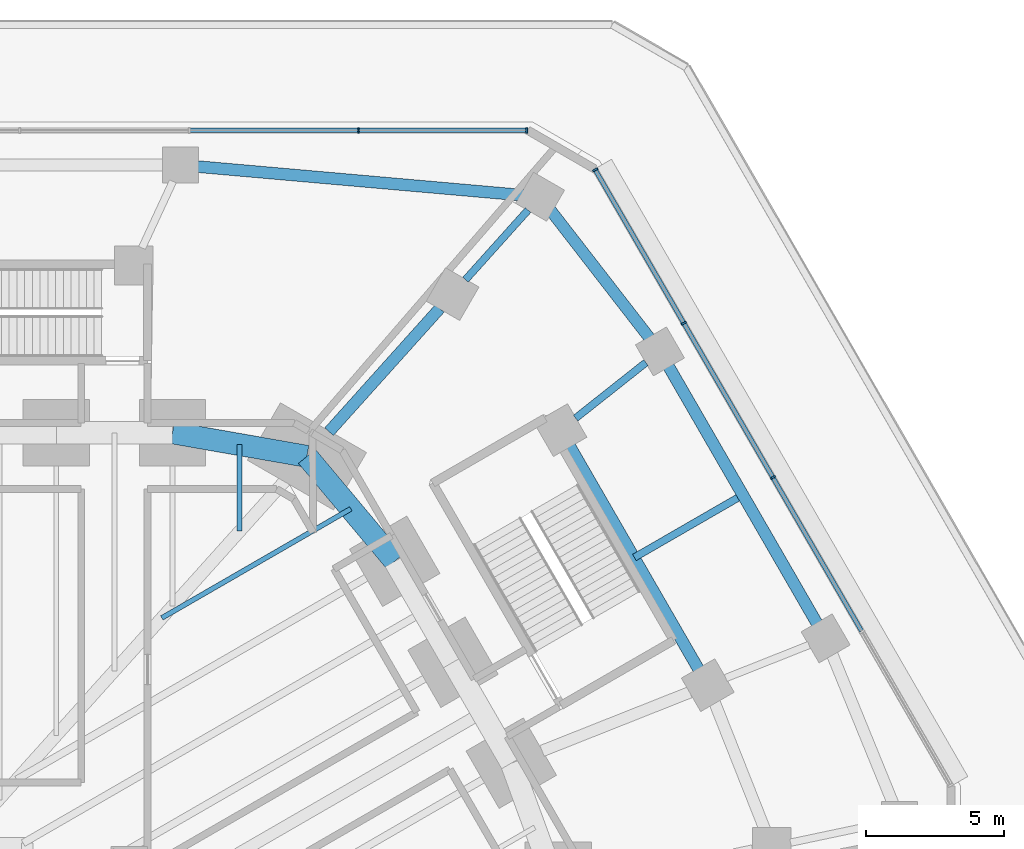
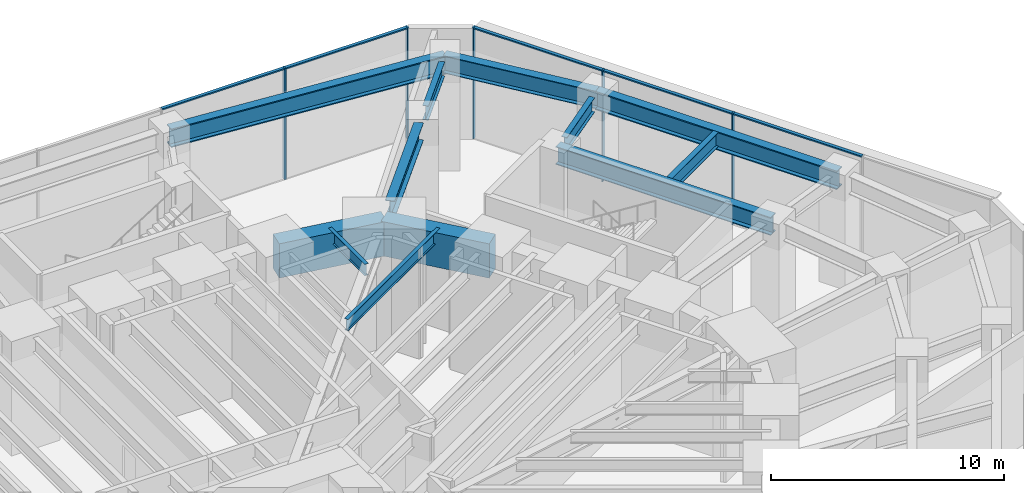
# One storey, part 12 of 25: 12 beams, 10 members, 2 elements without a shape of their own.
"""IFC4 building model written with IfcOpenShell, lengths in metres."""

from ifc_helpers import new_model, si_unit, direction, frame, origin, origin_2d, place, context, subcontext, project, spatial, rectangle, i_section, extrude, material, material_profile, profile_set, type_object, element, aggregate, save


model = new_model("IFC4")

# Units and contexts
model_context = context("Model", 3, precision=1e-05, world=origin(), true_north=direction((0.0, 1.0)))
body_context = subcontext(model_context, "Body", "Model", "MODEL_VIEW")
ifc_project = project(units=[si_unit("LENGTHUNIT", "METRE"), si_unit("AREAUNIT", "SQUARE_METRE"), si_unit("VOLUMEUNIT", "CUBIC_METRE"), si_unit("PLANEANGLEUNIT", "RADIAN"), si_unit("MASSUNIT", "GRAM", prefix="KILO")], contexts=[model_context])

# Site, building, storey
site_placement = place(None, origin())
site = spatial("IfcSite", under=ifc_project, at=site_placement, CompositionType="ELEMENT")
building_placement = place(site_placement, origin())
building = spatial("IfcBuilding", under=site, at=building_placement, Name="Sandreach Pilgrim Tower", CompositionType="ELEMENT")
storey_placement = place(building_placement, frame((0.0, 0.0, 6.0)))
storey = spatial("IfcBuildingStorey", under=building, at=storey_placement, Name="L01", CompositionType="ELEMENT", Elevation=6.0)

# Curtain wall, members
ifc_material_1 = material(Name="Aluminium framed curtain wall", Category="aluminium")
curtain_wall_type = type_object("IfcCurtainWallType", Name="Podium storefront curtain wall", PredefinedType="NOTDEFINED", material=ifc_material_1)
curtain_wall_1_placement = place(storey_placement, origin())
curtain_wall_1 = element("IfcCurtainWall", 1, at=curtain_wall_1_placement, inside=storey, type_object=curtain_wall_type, Name="CW-P L01 N", PredefinedType="NOTDEFINED")
ifc_material_2 = material(Name="Aluminium extrusion", Category="aluminium")
ifc_material_profile_1 = material_profile(ifc_material_2, rectangle(XDim=0.070068359375, YDim=0.199951171875, at=origin_2d()), Name="CW-PM 70X200")
ifc_profile_set_1 = profile_set([ifc_material_profile_1], Name="Aluminium extrusion")
member_type_1 = type_object("IfcMemberType", Name="CW-P mullion", PredefinedType="MULLION", material=ifc_profile_set_1)
member_1_placement = place(storey_placement, frame((21.474609375, 33.648193359375, 0.0), z_axis=(0.0, 0.0, 1.0), x_axis=(1.0, 0.0, 0.0)))
member_1 = element("IfcMember", 2, at=member_1_placement, type_object=member_type_1, Name="CW-P mullion 9", PredefinedType="MULLION", context=body_context, shape_type="SweptSolid", body=[
    extrude(rectangle(XDim=0.070068359375, YDim=0.199951171875, at=origin_2d()), origin(), (0.0, 0.0, 1.0), 5.840087890625),
])
member_2_placement = place(storey_placement, frame((27.5751953125, 33.648193359375, 0.0), z_axis=(0.0, 0.0, 1.0), x_axis=(1.0, 0.0, 0.0)))
member_2 = element("IfcMember", 3, at=member_2_placement, type_object=member_type_1, Name="CW-P mullion 10", PredefinedType="MULLION", context=body_context, shape_type="SweptSolid", body=[
    extrude(rectangle(XDim=0.070068359375, YDim=0.199951171875, at=origin_2d()), origin(), (0.0, 0.0, 1.0), 5.840087890625),
])

curtain_wall_2_placement = place(storey_placement, origin())
curtain_wall_2 = element("IfcCurtainWall", 4, at=curtain_wall_2_placement, inside=storey, type_object=curtain_wall_type, Name="CW-P L01 NE", PredefinedType="NOTDEFINED")
member_3_placement = place(storey_placement, frame((30.052490234375, 32.2177734375, 0.0), z_axis=(0.0, 0.0, 1.0), x_axis=(0.5, -0.866025403784, 0.0)))
member_3 = element("IfcMember", 5, at=member_3_placement, type_object=member_type_1, Name="CW-P mullion 1", PredefinedType="MULLION", context=body_context, shape_type="SweptSolid", body=[
    extrude(rectangle(XDim=0.070068359375, YDim=0.199951171875, at=origin_2d()), origin(), (0.0, 0.0, 1.0), 5.840087890625),
])
member_4_placement = place(storey_placement, frame((33.2626953125, 26.657958984375, 0.0), z_axis=(0.0, 0.0, 1.0), x_axis=(0.5, -0.866025403784, 0.0)))
member_4 = element("IfcMember", 6, at=member_4_placement, type_object=member_type_1, Name="CW-P mullion 2", PredefinedType="MULLION", context=body_context, shape_type="SweptSolid", body=[
    extrude(rectangle(XDim=0.070068359375, YDim=0.199951171875, at=origin_2d()), origin(), (0.0, 0.0, 1.0), 5.840087890625),
])
member_5_placement = place(storey_placement, frame((36.490234375, 21.067626953125, 0.0), z_axis=(0.0, 0.0, 1.0), x_axis=(0.5, -0.866025403784, 0.0)))
member_5 = element("IfcMember", 7, at=member_5_placement, type_object=member_type_1, Name="CW-P mullion 3", PredefinedType="MULLION", context=body_context, shape_type="SweptSolid", body=[
    extrude(rectangle(XDim=0.070068359375, YDim=0.199951171875, at=origin_2d()), origin(), (0.0, 0.0, 1.0), 5.840087890625),
])

# Member
ifc_material_3 = material(Name="Aluminium extrusion", Category="aluminium")
ifc_material_profile_2 = material_profile(ifc_material_3, rectangle(XDim=0.159912109375, YDim=0.070068359375, at=origin_2d()), Name="CW-PT 160X70")
ifc_profile_set_2 = profile_set([ifc_material_profile_2], Name="Aluminium extrusion")
member_type_2 = type_object("IfcMemberType", Name="CW-P transom", PredefinedType="USERDEFINED", material=ifc_profile_set_2)
member_6_placement = place(storey_placement, frame((15.3740234375, 33.648193359375, 5.804931640625), z_axis=(1.0, 0.0, 0.0), x_axis=(0.0, 1.0, 0.0)))
member_6 = element("IfcMember", 8, at=member_6_placement, type_object=member_type_2, Name="CW-P head transom 8", ObjectType="TRANSOM", PredefinedType="USERDEFINED", context=body_context, shape_type="SweptSolid", body=[
    extrude(rectangle(XDim=0.159912109375, YDim=0.070068359375, at=origin_2d()), origin(), (0.0, 0.0, 1.0), 6.065673828125),
])

member_7_placement = place(storey_placement, frame((21.509521484375, 33.648193359375, 5.804931640625), z_axis=(1.0, 0.0, 0.0), x_axis=(0.0, 1.0, 0.0)))
member_7 = element("IfcMember", 9, at=member_7_placement, type_object=member_type_2, Name="CW-P head transom 9", ObjectType="TRANSOM", PredefinedType="USERDEFINED", context=body_context, shape_type="SweptSolid", body=[
    extrude(rectangle(XDim=0.159912109375, YDim=0.070068359375, at=origin_2d()), origin(), (0.0, 0.0, 1.0), 6.03076171875),
])

aggregate(curtain_wall_1, [member_1, member_2, member_6, member_7])

member_8_placement = place(storey_placement, frame((30.070068359375, 32.1875, 5.804931640625), z_axis=(0.500005339912, -0.866022320763, 0.0), x_axis=(0.866022320763, 0.500005339912, 0.0)))
member_8 = element("IfcMember", 10, at=member_8_placement, type_object=member_type_2, Name="CW-P head transom 1", ObjectType="TRANSOM", PredefinedType="USERDEFINED", context=body_context, shape_type="SweptSolid", body=[
    extrude(rectangle(XDim=0.159912109375, YDim=0.070068359375, at=origin_2d()), origin(), (0.0, 0.0, 1.0), 6.35009765625),
])

member_9_placement = place(storey_placement, frame((33.280029296875, 26.627685546875, 5.804931640625), z_axis=(0.500000470374, -0.866025132214, 0.0), x_axis=(0.866025132214, 0.500000470374, 0.0)))
member_9 = element("IfcMember", 11, at=member_9_placement, type_object=member_type_2, Name="CW-P head transom 2", ObjectType="TRANSOM", PredefinedType="USERDEFINED", context=body_context, shape_type="SweptSolid", body=[
    extrude(rectangle(XDim=0.159912109375, YDim=0.070068359375, at=origin_2d()), origin(), (0.0, 0.0, 1.0), 6.38525390625),
])

member_10_placement = place(storey_placement, frame((36.5078125, 21.037353515625, 5.804931640625), z_axis=(0.49997179324, -0.866041688352, 0.0), x_axis=(0.866041688352, 0.49997179324, 0.0)))
member_10 = element("IfcMember", 12, at=member_10_placement, type_object=member_type_2, Name="CW-P head transom 3", ObjectType="TRANSOM", PredefinedType="USERDEFINED", context=body_context, shape_type="SweptSolid", body=[
    extrude(rectangle(XDim=0.159912109375, YDim=0.070068359375, at=origin_2d()), origin(), (0.0, 0.0, 1.0), 6.385009765625),
])

aggregate(curtain_wall_2, [member_3, member_4, member_5, member_8, member_9, member_10])

# Beams
ifc_material_4 = material(Name="Steel ASTM A992 Grade 50", Category="steel")
ifc_material_profile_3 = material_profile(ifc_material_4, i_section(OverallWidth=0.1787109375, OverallDepth=0.60205078125, WebThickness=0.010986328125, FlangeThickness=0.014892578125, at=origin_2d()), Name="W24X62")
ifc_profile_set_3 = profile_set([ifc_material_profile_3], Name="Steel ASTM A992 Grade 50")
beam_type_1 = type_object("IfcBeamType", Name="Floor beam W24X62", PredefinedType="BEAM", material=ifc_profile_set_3)
beam_1_placement = place(storey_placement, frame((17.17041015625, 22.26171875, 5.5390625), z_axis=(0.0, -1.0, 0.0), x_axis=(1.0, 0.0, 0.0)))
element("IfcBeam", 13, at=beam_1_placement, inside=storey, type_object=beam_type_1, Name="BM L01 FM08", PredefinedType="BEAM", context=body_context, shape_type="SweptSolid", body=[
    extrude(i_section(OverallWidth=0.1787109375, OverallDepth=0.60205078125, WebThickness=0.010986328125, FlangeThickness=0.014892578125, at=origin_2d()), origin(), (0.0, 0.0, 1.0), 3.1396484375),
])
beam_2_placement = place(storey_placement, frame((21.197021484375, 19.933349609375, 5.5390625), z_axis=(-0.866028778003, -0.499994155636, 0.0), x_axis=(0.499994155636, -0.866028778003, 0.0)))
element("IfcBeam", 14, at=beam_2_placement, inside=storey, type_object=beam_type_1, Name="BM L01 FM09", PredefinedType="BEAM", context=body_context, shape_type="SweptSolid", body=[
    extrude(i_section(OverallWidth=0.1787109375, OverallDepth=0.60205078125, WebThickness=0.010986328125, FlangeThickness=0.014892578125, at=origin_2d()), origin(), (0.0, 0.0, 1.0), 7.90771484375),
])
ifc_material_5 = material(Name="Steel ASTM A992 Grade 50", Category="steel")
ifc_material_profile_4 = material_profile(ifc_material_5, i_section(OverallWidth=0.2666015625, OverallDepth=0.7568359375, WebThickness=0.013916015625, FlangeThickness=0.019287109375, at=origin_2d()), Name="W30X108")
ifc_profile_set_4 = profile_set([ifc_material_profile_4], Name="Steel ASTM A992 Grade 50")
beam_type_2 = type_object("IfcBeamType", Name="Podium beam W30X108", PredefinedType="BEAM", material=ifc_profile_set_4)
beam_3_placement = place(storey_placement, frame((25.352783203125, 28.234375, 5.37158203125), z_axis=(0.668105036211, 0.744066973188, 0.0), x_axis=(-0.744066973188, 0.668105036211, 0.0)))
element("IfcBeam", 15, at=beam_3_placement, inside=storey, type_object=beam_type_2, Name="BM L01 PR140-09", PredefinedType="BEAM", context=body_context, shape_type="SweptSolid", body=[
    extrude(i_section(OverallWidth=0.2666015625, OverallDepth=0.7568359375, WebThickness=0.013916015625, FlangeThickness=0.019287109375, at=origin_2d()), origin(), (0.0, 0.0, 1.0), 3.390869140625),
])
beam_4_placement = place(storey_placement, frame((29.3427734375, 23.218994140625, 5.37158203125), z_axis=(0.784196808653, 0.620512179815, 0.0), x_axis=(-0.620512179815, 0.784196808653, 0.0)))
element("IfcBeam", 16, at=beam_4_placement, inside=storey, type_object=beam_type_2, Name="BM L01 PR140-10", PredefinedType="BEAM", context=body_context, shape_type="SweptSolid", body=[
    extrude(i_section(OverallWidth=0.2666015625, OverallDepth=0.7568359375, WebThickness=0.013916015625, FlangeThickness=0.019287109375, at=origin_2d()), origin(), (0.0, 0.0, 1.0), 3.24560546875),
])
beam_5_placement = place(storey_placement, frame((31.471923828125, 18.17041015625, 5.37158203125), z_axis=(0.866016227542, 0.500015893381, 0.0), x_axis=(-0.500015893381, 0.866016227542, 0.0)))
element("IfcBeam", 17, at=beam_5_placement, inside=storey, type_object=beam_type_2, Name="BM L01 PR140-11", PredefinedType="BEAM", context=body_context, shape_type="SweptSolid", body=[
    extrude(i_section(OverallWidth=0.2666015625, OverallDepth=0.7568359375, WebThickness=0.013916015625, FlangeThickness=0.019287109375, at=origin_2d()), origin(), (0.0, 0.0, 1.0), 4.321044921875),
])
ifc_material_6 = material(Name="Steel ASTM A992 Grade 50", Category="steel")
ifc_material_profile_5 = material_profile(ifc_material_6, i_section(OverallWidth=0.419189453125, OverallDepth=0.927001953125, WebThickness=0.019287109375, FlangeThickness=0.031982421875, at=origin_2d()), Name="W36X231")
ifc_profile_set_5 = profile_set([ifc_material_profile_5], Name="Steel ASTM A992 Grade 50")
beam_type_3 = type_object("IfcBeamType", Name="Podium beam W36X231", PredefinedType="BEAM", material=ifc_profile_set_5)
beam_6_placement = place(storey_placement, frame((20.407958984375, 22.727783203125, 5.37646484375), z_axis=(0.668130429615, 0.744044171419, 0.0), x_axis=(-0.744044171419, 0.668130429615, 0.0)))
element("IfcBeam", 18, at=beam_6_placement, inside=storey, type_object=beam_type_3, Name="BM L01 PR125-09", PredefinedType="BEAM", context=body_context, shape_type="SweptSolid", body=[
    extrude(i_section(OverallWidth=0.419189453125, OverallDepth=0.927001953125, WebThickness=0.019287109375, FlangeThickness=0.031982421875, at=origin_2d()), origin(), (0.0, 0.0, 1.0), 6.001220703125),
])
ifc_material_7 = material(Name="Steel ASTM A992 Grade 50", Category="steel")
ifc_material_profile_6 = material_profile(ifc_material_7, i_section(OverallWidth=0.419189453125, OverallDepth=0.927001953125, WebThickness=0.019287109375, FlangeThickness=0.031982421875, at=origin_2d()), Name="W36X231")
ifc_profile_set_6 = profile_set([ifc_material_profile_6], Name="Steel ASTM A992 Grade 50")
beam_type_4 = type_object("IfcBeamType", Name="Podium edge beam W36X231", PredefinedType="BEAM", material=ifc_profile_set_6)
beam_7_placement = place(storey_placement, frame((28.052490234375, 31.240966796875, 5.286376953125), z_axis=(0.612686189545, -0.790326282709, 0.0), x_axis=(0.790326282709, 0.612686189545, 0.0)))
element("IfcBeam", 19, at=beam_7_placement, inside=storey, type_object=beam_type_4, Name="BM L01 PE140-09", PredefinedType="BEAM", context=body_context, shape_type="SweptSolid", body=[
    extrude(i_section(OverallWidth=0.419189453125, OverallDepth=0.927001953125, WebThickness=0.019287109375, FlangeThickness=0.031982421875, at=origin_2d()), origin(), (0.0, 0.0, 1.0), 7.091552734375),
])
ifc_material_8 = material(Name="Steel ASTM A992 Grade 50", Category="steel")
ifc_material_profile_7 = material_profile(ifc_material_8, i_section(OverallWidth=0.424072265625, OverallDepth=0.947509765625, WebThickness=0.02392578125, FlangeThickness=0.042724609375, at=origin_2d()), Name="W36X302")
ifc_profile_set_7 = profile_set([ifc_material_profile_7], Name="Steel ASTM A992 Grade 50")
beam_type_5 = type_object("IfcBeamType", Name="Podium edge beam W36X302", PredefinedType="BEAM", material=ifc_profile_set_7)
beam_8_placement = place(storey_placement, frame((28.7939453125, 22.78466796875, 5.3662109375), z_axis=(0.500005016135, -0.866022507698, 0.0), x_axis=(0.866022507698, 0.500005016135, 0.0)))
element("IfcBeam", 20, at=beam_8_placement, inside=storey, type_object=beam_type_5, Name="BM L01 PE125-10", PredefinedType="BEAM", context=body_context, shape_type="SweptSolid", body=[
    extrude(i_section(OverallWidth=0.424072265625, OverallDepth=0.947509765625, WebThickness=0.02392578125, FlangeThickness=0.042724609375, at=origin_2d()), origin(), (0.0, 0.0, 1.0), 10.67041015625),
])
ifc_material_9 = material(Name="Steel ASTM A992 Grade 50", Category="steel")
ifc_material_profile_8 = material_profile(ifc_material_9, i_section(OverallWidth=0.4267578125, OverallDepth=0.975341796875, WebThickness=0.031005859375, FlangeThickness=0.055908203125, at=origin_2d()), Name="W36X395")
ifc_profile_set_8 = profile_set([ifc_material_profile_8], Name="Steel ASTM A992 Grade 50")
beam_type_6 = type_object("IfcBeamType", Name="Podium edge beam W36X395", PredefinedType="BEAM", material=ifc_profile_set_8)
beam_9_placement = place(storey_placement, frame((15.024169921875, 32.38818359375, 5.26220703125), z_axis=(0.996145504855, -0.087716208067, 0.0), x_axis=(0.087716208067, 0.996145504855, 0.0)))
element("IfcBeam", 21, at=beam_9_placement, inside=storey, type_object=beam_type_6, Name="BM L01 PE140-07", PredefinedType="BEAM", context=body_context, shape_type="SweptSolid", body=[
    extrude(i_section(OverallWidth=0.4267578125, OverallDepth=0.975341796875, WebThickness=0.031005859375, FlangeThickness=0.055908203125, at=origin_2d()), origin(), (0.0, 0.0, 1.0), 13.07861328125),
])
beam_10_placement = place(storey_placement, frame((32.3974609375, 25.63623046875, 5.26220703125), z_axis=(0.500005857885, -0.866022021707, 0.0), x_axis=(0.866022021707, 0.500005857885, 0.0)))
element("IfcBeam", 22, at=beam_10_placement, inside=storey, type_object=beam_type_6, Name="BM L01 PE140-10", PredefinedType="BEAM", context=body_context, shape_type="SweptSolid", body=[
    extrude(i_section(OverallWidth=0.4267578125, OverallDepth=0.975341796875, WebThickness=0.031005859375, FlangeThickness=0.055908203125, at=origin_2d()), origin(), (0.0, 0.0, 1.0), 12.005615234375),
])
ifc_material_10 = material(Name="Concrete 10000 psi", Category="concrete")
ifc_material_profile_9 = material_profile(ifc_material_10, rectangle(XDim=0.800048828125, YDim=1.800048828125, at=origin_2d()), Name="RC800X1800")
ifc_profile_set_9 = profile_set([ifc_material_profile_9], Name="Concrete 10000 psi")
beam_type_7 = type_object("IfcBeamType", Name="Spandrel beam RC800X1800", PredefinedType="SPANDREL", material=ifc_profile_set_9)
beam_11_placement = place(storey_placement, frame((14.734619140625, 22.688720703125, 4.93994140625), z_axis=(0.984981186582, -0.172661698355, 0.0), x_axis=(0.172661698355, 0.984981186582, 0.0)))
element("IfcBeam", 23, at=beam_11_placement, inside=storey, type_object=beam_type_7, Name="BM L01 SP08", PredefinedType="SPANDREL", context=body_context, shape_type="SweptSolid", body=[
    extrude(rectangle(XDim=0.800048828125, YDim=1.800048828125, at=origin_2d()), origin(), (0.0, 0.0, 1.0), 4.946044921875),
])
beam_12_placement = place(storey_placement, frame((19.6064453125, 21.834716796875, 4.93994140625), z_axis=(0.641665295114, -0.766984777584, 0.0), x_axis=(0.766984777584, 0.641665295114, 0.0)))
element("IfcBeam", 24, at=beam_12_placement, inside=storey, type_object=beam_type_7, Name="BM L01 SP09", PredefinedType="SPANDREL", context=body_context, shape_type="SweptSolid", body=[
    extrude(rectangle(XDim=0.800048828125, YDim=1.800048828125, at=origin_2d()), origin(), (0.0, 0.0, 1.0), 4.9580078125),
])

save(model, "model.ifc")
